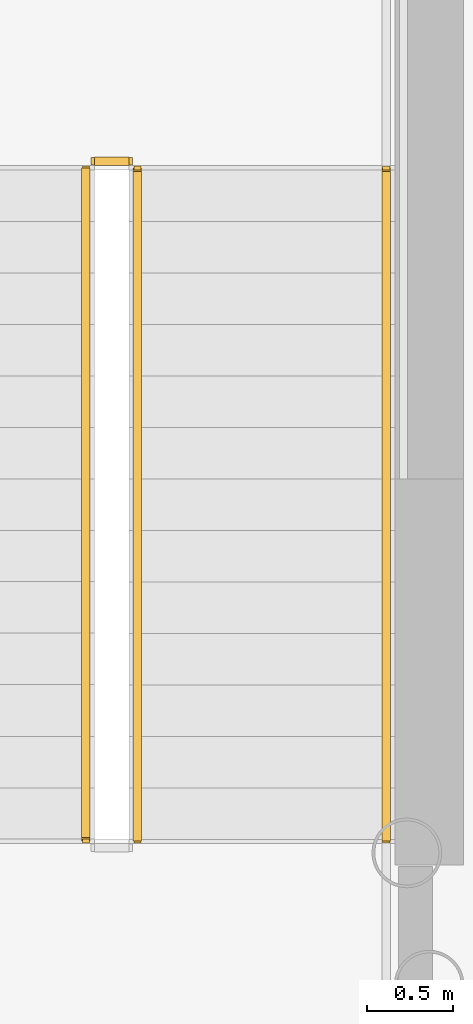
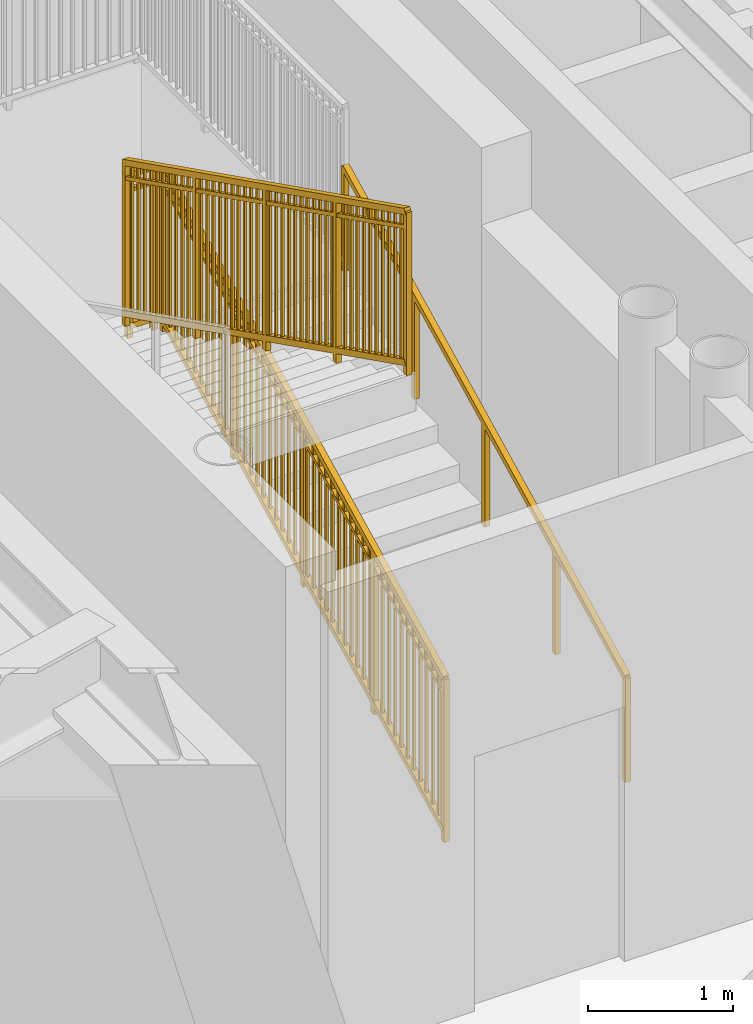
# One storey, part 23 of 28: 4 railings.
"""IFC4 building model written with IfcOpenShell, lengths in metres."""

import ifcopenshell
import ifcopenshell.guid

model = None  # the IFC model being written
_history = None  # IfcOwnerHistory: only IFC2X3 demands one
_inside = {}  # id of a spatial element -> (the spatial element, [elements in it])
_under = {}  # id of a project, library or spatial element -> (it, [spatial elements below it])
_declared = {}  # id of a project -> (the project, [libraries it declares])
_typed = {}  # id of a type object -> (the type object, [elements of that type])
_made_of = {}  # id of a material, layer set ... -> (it, [elements and type objects made of it])


def new_model(schema):
    """Start an empty IFC model of exactly this schema.

    Asked for "IFC4X3", IfcOpenShell would pick the latest addendum, in which some entities
    have other attributes; the version numbers below select the first issue.
    IFC2X3 requires an IfcOwnerHistory on every rooted entity: one is made here for all.
    """
    global model, _history
    if schema == "IFC4X3":
        model = ifcopenshell.file(schema_version=(4, 3, 0, 0))
    else:
        model = ifcopenshell.file(schema=schema)
    _inside.clear()
    _under.clear()
    _declared.clear()
    _typed.clear()
    _made_of.clear()
    _history = None
    if model.schema == "IFC2X3":
        org = make("IfcOrganization", Name="unknown")
        user = make(
            "IfcPersonAndOrganization",
            ThePerson=make("IfcPerson", FamilyName="unknown"),
            TheOrganization=org,
        )
        app = make(
            "IfcApplication",
            ApplicationDeveloper=org,
            Version="unknown",
            ApplicationFullName="unknown",
            ApplicationIdentifier="unknown",
        )
        _history = make(
            "IfcOwnerHistory",
            OwningUser=user,
            OwningApplication=app,
            ChangeAction="ADDED",
            CreationDate=0,
        )
    return model


def make(cls, **values):
    """One entity of the class cls with the attributes given. An attribute that is None is left unset."""
    return model.create_entity(
        cls, **{name: value for name, value in values.items() if value is not None}
    )


def rooted(cls, **values):
    """An entity with a GlobalId (a new one), such as an element, a storey or a relation."""
    return make(cls, GlobalId=ifcopenshell.guid.new(), OwnerHistory=_history, **values)


def si_unit(unit_type, name, prefix=None):
    """IfcSIUnit, for example si_unit("LENGTHUNIT", "METRE", prefix="MILLI")."""
    return make("IfcSIUnit", UnitType=unit_type, Prefix=prefix, Name=name)


def assignment(units):
    """IfcUnitAssignment: the units of a project."""
    return None if units is None else make("IfcUnitAssignment", Units=units)


def point(xyz):
    """IfcCartesianPoint."""
    return None if xyz is None else make("IfcCartesianPoint", Coordinates=xyz)


def direction(xyz):
    """IfcDirection."""
    return None if xyz is None else make("IfcDirection", DirectionRatios=xyz)


def frame(location, z_axis=None, x_axis=None):
    """IfcAxis2Placement3D, a coordinate frame: its origin and axes. An axis left out is left unset."""
    return make(
        "IfcAxis2Placement3D",
        Location=point(location),
        Axis=direction(z_axis),
        RefDirection=direction(x_axis),
    )


def frame_2d(location, x_axis=None):
    """IfcAxis2Placement2D, a coordinate frame in the plane: its origin and x axis."""
    return make(
        "IfcAxis2Placement2D", Location=point(location), RefDirection=direction(x_axis)
    )


def origin():
    """The frame at (0, 0, 0) with its axes left unset."""
    return frame((0.0, 0.0, 0.0))


def origin_2d():
    """The frame at (0, 0) in the plane with its x axis left unset."""
    return frame_2d((0.0, 0.0))


def place(relative_to, where):
    """IfcLocalPlacement: puts the frame where relative to a parent placement (None: the world)."""
    return make(
        "IfcLocalPlacement", PlacementRelTo=relative_to, RelativePlacement=where
    )


def context(
    kind, dimensions, precision=None, world=None, true_north=None, identifier=None
):
    """IfcGeometricRepresentationContext, for example the 3D "Model" context."""
    return make(
        "IfcGeometricRepresentationContext",
        ContextIdentifier=identifier,
        ContextType=kind,
        CoordinateSpaceDimension=dimensions,
        Precision=precision,
        WorldCoordinateSystem=world,
        TrueNorth=true_north,
    )


def subcontext(parent, identifier, kind, view, scale=None):
    """IfcGeometricRepresentationSubContext, for example "Body" below "Model"."""
    return make(
        "IfcGeometricRepresentationSubContext",
        ContextIdentifier=identifier,
        ContextType=kind,
        ParentContext=parent,
        TargetScale=scale,
        TargetView=view,
    )


def project(units=None, contexts=None):
    """IfcProject with its units and contexts."""
    return rooted(
        "IfcProject",
        Name="project",
        RepresentationContexts=contexts,
        UnitsInContext=assignment(units),
    )


def spatial(cls, under=None, at=None, **own):
    """A site, building, storey or space (cls), placed at a placement, below another one or the project."""
    s = rooted(cls, ObjectPlacement=at, **own)
    if under is not None:
        _under.setdefault(under.id(), (under, []))[1].append(s)
    return s


def profile(cls, at=None, kind="AREA", **sizes):
    """A parametric profile (cls). Its sizes go by their IFC names, for example OverallWidth=200.0."""
    return make(cls, ProfileType=kind, Position=at, **sizes)


def rectangle(**sizes):
    """IfcRectangleProfileDef."""
    return profile("IfcRectangleProfileDef", **sizes)


def extrude(swept, where, along, depth):
    """IfcExtrudedAreaSolid: the profile swept, set in the frame where, extruded along a direction by depth."""
    return make(
        "IfcExtrudedAreaSolid",
        SweptArea=swept,
        Position=where,
        ExtrudedDirection=direction(along),
        Depth=depth,
    )


def shape(context_of_items, identifier, shape_type, items):
    """IfcShapeRepresentation: the items that make up one representation, for example the "Body"."""
    return make(
        "IfcShapeRepresentation",
        ContextOfItems=context_of_items,
        RepresentationIdentifier=identifier,
        RepresentationType=shape_type,
        Items=items,
    )


def source(mapping_origin, context_of_items, identifier, shape_type, items):
    """IfcRepresentationMap: a shape defined once, which mapped items show again and again."""
    return make(
        "IfcRepresentationMap",
        MappingOrigin=mapping_origin,
        MappedRepresentation=shape(context_of_items, identifier, shape_type, items),
    )


def transform(
    local_origin,
    x_axis=None,
    y_axis=None,
    z_axis=None,
    scale=None,
    scale2=None,
    scale3=None,
    uniform=True,
):
    """IfcCartesianTransformationOperator3D, or its non-uniform kind. x_axis, y_axis, z_axis: its Axis1, 2, 3."""
    if uniform:
        return make(
            "IfcCartesianTransformationOperator3D",
            Axis1=direction(x_axis),
            Axis2=direction(y_axis),
            LocalOrigin=point(local_origin),
            Scale=scale,
            Axis3=direction(z_axis),
        )
    return make(
        "IfcCartesianTransformationOperator3DnonUniform",
        Axis1=direction(x_axis),
        Axis2=direction(y_axis),
        LocalOrigin=point(local_origin),
        Scale=scale,
        Axis3=direction(z_axis),
        Scale2=scale2,
        Scale3=scale3,
    )


def mapped(mapping_source, mapping_target):
    """IfcMappedItem: shows the shape of a source again, moved by a transform."""
    return make(
        "IfcMappedItem", MappingSource=mapping_source, MappingTarget=mapping_target
    )


def material(Name=None, Category=None):
    """IfcMaterial."""
    return make("IfcMaterial", Name=Name, Category=Category)


def made_of(thing, what):
    """Note that an element or type object is made of a material, layer set ...; save() writes the relation."""
    if what is not None:
        _made_of.setdefault(what.id(), (what, []))[1].append(thing)
    return thing


def type_object(cls, material=None, **own):
    """A type object (cls), such as IfcWallType, which elements share."""
    return made_of(rooted(cls, **own), material)


def element(
    cls,
    number,
    at=None,
    inside=None,
    cuts=None,
    type_object=None,
    material=None,
    context=None,
    identifier="Body",
    shape_type=None,
    held_by="IfcProductDefinitionShape",
    body=None,
    shapes=None,
    **own,
):
    """One element of the class cls, such as IfcWall. Its Tag is "e" and its number.

    at: its placement. inside: the storey or other place that contains it. cuts: it is an
    opening in that element (IfcRelVoidsElement). A single representation is given by context,
    identifier, shape_type and body (its items); several are given by shapes. held_by: the class
    of the entity that holds the representations. save() writes the other relations.
    """
    e = rooted(cls, Tag="e%d" % number, ObjectPlacement=at, **own)
    if body is not None:
        shapes = [shape(context, identifier, shape_type, body)]
    if shapes is not None:
        e.Representation = make(held_by, Representations=shapes)
    if inside is not None:
        _inside.setdefault(inside.id(), (inside, []))[1].append(e)
    if cuts is not None:
        rooted(
            "IfcRelVoidsElement", RelatingBuildingElement=cuts, RelatedOpeningElement=e
        )
    if type_object is not None:
        _typed.setdefault(type_object.id(), (type_object, []))[1].append(e)
    return made_of(e, material)


def aggregate(whole, parts):
    """IfcRelAggregates: a whole, such as a stair, and the parts it consists of."""
    return rooted("IfcRelAggregates", RelatingObject=whole, RelatedObjects=parts)


def save(model, path):
    """Write the relations noted so far, then the file.

    IfcRelAggregates (storeys below a building ...), IfcRelContainedInSpatialStructure (elements
    in a storey), IfcRelDefinesByType, IfcRelAssociatesMaterial and IfcRelDeclares: one each for
    every whole, place, type object, material and project.
    """
    for whole, parts in _under.values():
        aggregate(whole, parts)
    for where, things in _inside.values():
        rooted(
            "IfcRelContainedInSpatialStructure",
            RelatedElements=things,
            RelatingStructure=where,
        )
    for kind, things in _typed.values():
        rooted("IfcRelDefinesByType", RelatedObjects=things, RelatingType=kind)
    for what, things in _made_of.values():
        rooted("IfcRelAssociatesMaterial", RelatedObjects=things, RelatingMaterial=what)
    for by, libraries in _declared.values():
        rooted("IfcRelDeclares", RelatingContext=by, RelatedDefinitions=libraries)
    model.write(path)


model = new_model("IFC4")

# Units and contexts
model_context = context("Model", 3, precision=1e-05, world=origin(), true_north=direction((0.0, 1.0)))
body_context = subcontext(model_context, "Body", "Model", "MODEL_VIEW")
ifc_project = project(units=[si_unit("LENGTHUNIT", "METRE"), si_unit("AREAUNIT", "SQUARE_METRE"), si_unit("VOLUMEUNIT", "CUBIC_METRE"), si_unit("PLANEANGLEUNIT", "RADIAN"), si_unit("MASSUNIT", "GRAM", prefix="KILO")], contexts=[model_context])

# Site, building, storey
site_placement = place(None, origin())
site = spatial("IfcSite", under=ifc_project, at=site_placement, CompositionType="ELEMENT")
building_placement = place(site_placement, origin())
building = spatial("IfcBuilding", under=site, at=building_placement, Name="Linh Dai School and Residence Tower", CompositionType="ELEMENT")
storey_placement = place(building_placement, frame((0.0, 0.0, 57.60009765625)))
storey = spatial("IfcBuildingStorey", under=building, at=storey_placement, Name="L13", CompositionType="ELEMENT", Elevation=57.60009765625)

# Railings
ifc_material_1 = material(Name="Structural Steel S355JR", Category="steel")
railing_type_1 = type_object("IfcRailingType", Name="RL-ST-GUARD-1400", PredefinedType="GUARDRAIL", material=ifc_material_1)
shared_shape_1 = source(origin(), body_context, "Body", "SweptSolid", [
    extrude(rectangle(XDim=0.048095703125, YDim=0.048095703125, at=origin_2d()), frame((0.0, 0.0, 1.3759765625), z_axis=(-1.0, 0.0, 0.0), x_axis=(0.0, -1.0, 0.0)), (0.0, 0.0, 1.0), 0.199951171875),
    extrude(rectangle(XDim=0.048095703125, YDim=0.048095703125, at=origin_2d()), frame((0.0, 0.0, 0.10009765625), z_axis=(-1.0, 0.0, 0.0), x_axis=(0.0, -1.0, 0.0)), (0.0, 0.0, 1.0), 0.199951171875),
    extrude(rectangle(XDim=0.030029296875, YDim=0.030029296875, at=origin_2d()), frame((0.0, 0.0, 1.239990234375), z_axis=(-1.0, 0.0, 0.0), x_axis=(0.0, -1.0, 0.0)), (0.0, 0.0, 1.0), 0.199951171875),
    extrude(rectangle(XDim=0.0419921875, YDim=0.0419921875, at=origin_2d()), origin(), (0.0, 0.0, 1.0), 1.3759765625),
    extrude(rectangle(XDim=0.0419921875, YDim=0.0419921875, at=origin_2d()), frame((-0.199951171875, 0.0, 0.0)), (0.0, 0.0, 1.0), 1.3759765625),
])
railing_1_placement = place(storey_placement, frame((29.429931640625, 29.64990234375, 2.099853515625)))
element("IfcRailing", 1, at=railing_1_placement, inside=storey, type_object=railing_type_1, Name="L13 ST1 stair guard 2", PredefinedType="GUARDRAIL", context=body_context, shape_type="MappedRepresentation", body=[
    mapped(shared_shape_1, transform((0.0, 0.0, 0.0), x_axis=(1.0, 0.0, 0.0), y_axis=(0.0, 1.0, 0.0), z_axis=(0.0, 0.0, 1.0), scale=1.0)),
])
shared_shape_2 = source(origin(), body_context, "Body", "SweptSolid", [
    extrude(rectangle(XDim=0.048095703125, YDim=0.048095703125, at=origin_2d()), frame((0.0, 0.0, 1.3759765625), z_axis=(0.0, -0.894438388696, 0.447191199406), x_axis=(1.0, 0.0, 0.0)), (0.0, 0.0, 1.0), 4.3603515625),
    extrude(rectangle(XDim=0.048095703125, YDim=0.048095703125, at=origin_2d()), frame((0.0, 0.0, 0.10009765625), z_axis=(0.0, -0.894438388696, 0.447191199406), x_axis=(1.0, 0.0, 0.0)), (0.0, 0.0, 1.0), 4.3603515625),
    extrude(rectangle(XDim=0.030029296875, YDim=0.030029296875, at=origin_2d()), frame((0.0, 0.0, 1.239990234375), z_axis=(0.0, -0.894438388696, 0.447191199406), x_axis=(1.0, 0.0, 0.0)), (0.0, 0.0, 1.0), 4.3603515625),
    extrude(rectangle(XDim=0.02001953125, YDim=0.02001953125, at=origin_2d()), frame((0.0, -0.086669921875, 0.143310546875)), (0.0, 0.0, 1.0), 1.251708984375),
    extrude(rectangle(XDim=0.02001953125, YDim=0.02001953125, at=origin_2d()), frame((0.0, -0.17333984375, 0.186767578125)), (0.0, 0.0, 1.0), 1.251708984375),
    extrude(rectangle(XDim=0.02001953125, YDim=0.02001953125, at=origin_2d()), frame((0.0, -0.260009765625, 0.22998046875)), (0.0, 0.0, 1.0), 1.251708984375),
    extrude(rectangle(XDim=0.02001953125, YDim=0.02001953125, at=origin_2d()), frame((0.0, -0.3466796875, 0.2734375)), (0.0, 0.0, 1.0), 1.251708984375),
    extrude(rectangle(XDim=0.02001953125, YDim=0.02001953125, at=origin_2d()), frame((0.0, -0.433349609375, 0.316650390625)), (0.0, 0.0, 1.0), 1.251708984375),
    extrude(rectangle(XDim=0.02001953125, YDim=0.02001953125, at=origin_2d()), frame((0.0, -0.52001953125, 0.360107421875)), (0.0, 0.0, 1.0), 1.251708984375),
    extrude(rectangle(XDim=0.02001953125, YDim=0.02001953125, at=origin_2d()), frame((0.0, -0.606689453125, 0.4033203125)), (0.0, 0.0, 1.0), 1.251708984375),
    extrude(rectangle(XDim=0.02001953125, YDim=0.02001953125, at=origin_2d()), frame((0.0, -0.693359375, 0.44677734375)), (0.0, 0.0, 1.0), 1.251708984375),
    extrude(rectangle(XDim=0.02001953125, YDim=0.02001953125, at=origin_2d()), frame((0.0, -0.780029296875, 0.489990234375)), (0.0, 0.0, 1.0), 1.251708984375),
    extrude(rectangle(XDim=0.02001953125, YDim=0.02001953125, at=origin_2d()), frame((0.0, -0.86669921875, 0.533447265625)), (0.0, 0.0, 1.0), 1.251708984375),
    extrude(rectangle(XDim=0.02001953125, YDim=0.02001953125, at=origin_2d()), frame((0.0, -1.0400390625, 0.6201171875)), (0.0, 0.0, 1.0), 1.251708984375),
    extrude(rectangle(XDim=0.02001953125, YDim=0.02001953125, at=origin_2d()), frame((0.0, -1.126708984375, 0.663330078125)), (0.0, 0.0, 1.0), 1.251708984375),
    extrude(rectangle(XDim=0.02001953125, YDim=0.02001953125, at=origin_2d()), frame((0.0, -1.21337890625, 0.706787109375)), (0.0, 0.0, 1.0), 1.251708984375),
    extrude(rectangle(XDim=0.02001953125, YDim=0.02001953125, at=origin_2d()), frame((0.0, -1.300048828125, 0.75)), (0.0, 0.0, 1.0), 1.251708984375),
    extrude(rectangle(XDim=0.02001953125, YDim=0.02001953125, at=origin_2d()), frame((0.0, -1.38671875, 0.79345703125)), (0.0, 0.0, 1.0), 1.251708984375),
    extrude(rectangle(XDim=0.02001953125, YDim=0.02001953125, at=origin_2d()), frame((0.0, -1.473388671875, 0.836669921875)), (0.0, 0.0, 1.0), 1.251708984375),
    extrude(rectangle(XDim=0.02001953125, YDim=0.02001953125, at=origin_2d()), frame((0.0, -1.56005859375, 0.880126953125)), (0.0, 0.0, 1.0), 1.251708984375),
    extrude(rectangle(XDim=0.02001953125, YDim=0.02001953125, at=origin_2d()), frame((0.0, -1.646728515625, 0.92333984375)), (0.0, 0.0, 1.0), 1.251708984375),
    extrude(rectangle(XDim=0.02001953125, YDim=0.02001953125, at=origin_2d()), frame((0.0, -1.7333984375, 0.966796875)), (0.0, 0.0, 1.0), 1.251708984375),
    extrude(rectangle(XDim=0.02001953125, YDim=0.02001953125, at=origin_2d()), frame((0.0, -1.820068359375, 1.010009765625)), (0.0, 0.0, 1.0), 1.251708984375),
    extrude(rectangle(XDim=0.02001953125, YDim=0.02001953125, at=origin_2d()), frame((0.0, -1.90673828125, 1.053466796875)), (0.0, 0.0, 1.0), 1.251708984375),
    extrude(rectangle(XDim=0.02001953125, YDim=0.02001953125, at=origin_2d()), frame((0.0, -1.993408203125, 1.0966796875)), (0.0, 0.0, 1.0), 1.251708984375),
    extrude(rectangle(XDim=0.02001953125, YDim=0.02001953125, at=origin_2d()), frame((0.0, -2.080078125, 1.14013671875)), (0.0, 0.0, 1.0), 1.251708984375),
    extrude(rectangle(XDim=0.02001953125, YDim=0.02001953125, at=origin_2d()), frame((0.0, -2.166748046875, 1.183349609375)), (0.0, 0.0, 1.0), 1.251708984375),
    extrude(rectangle(XDim=0.02001953125, YDim=0.02001953125, at=origin_2d()), frame((0.0, -2.25341796875, 1.226806640625)), (0.0, 0.0, 1.0), 1.251708984375),
    extrude(rectangle(XDim=0.02001953125, YDim=0.02001953125, at=origin_2d()), frame((0.0, -2.340087890625, 1.27001953125)), (0.0, 0.0, 1.0), 1.251708984375),
    extrude(rectangle(XDim=0.02001953125, YDim=0.02001953125, at=origin_2d()), frame((0.0, -2.4267578125, 1.3134765625)), (0.0, 0.0, 1.0), 1.251708984375),
    extrude(rectangle(XDim=0.02001953125, YDim=0.02001953125, at=origin_2d()), frame((0.0, -2.513427734375, 1.356689453125)), (0.0, 0.0, 1.0), 1.251708984375),
    extrude(rectangle(XDim=0.02001953125, YDim=0.02001953125, at=origin_2d()), frame((0.0, -2.60009765625, 1.400146484375)), (0.0, 0.0, 1.0), 1.251708984375),
    extrude(rectangle(XDim=0.02001953125, YDim=0.02001953125, at=origin_2d()), frame((0.0, -2.686767578125, 1.443359375)), (0.0, 0.0, 1.0), 1.251708984375),
    extrude(rectangle(XDim=0.02001953125, YDim=0.02001953125, at=origin_2d()), frame((0.0, -2.7734375, 1.48681640625)), (0.0, 0.0, 1.0), 1.251708984375),
    extrude(rectangle(XDim=0.02001953125, YDim=0.02001953125, at=origin_2d()), frame((0.0, -2.860107421875, 1.530029296875)), (0.0, 0.0, 1.0), 1.251708984375),
    extrude(rectangle(XDim=0.02001953125, YDim=0.02001953125, at=origin_2d()), frame((0.0, -3.033447265625, 1.61669921875)), (0.0, 0.0, 1.0), 1.251708984375),
    extrude(rectangle(XDim=0.02001953125, YDim=0.02001953125, at=origin_2d()), frame((0.0, -3.1201171875, 1.66015625)), (0.0, 0.0, 1.0), 1.251708984375),
    extrude(rectangle(XDim=0.02001953125, YDim=0.02001953125, at=origin_2d()), frame((0.0, -3.206787109375, 1.703369140625)), (0.0, 0.0, 1.0), 1.251708984375),
    extrude(rectangle(XDim=0.02001953125, YDim=0.02001953125, at=origin_2d()), frame((0.0, -3.29345703125, 1.746826171875)), (0.0, 0.0, 1.0), 1.251708984375),
    extrude(rectangle(XDim=0.02001953125, YDim=0.02001953125, at=origin_2d()), frame((0.0, -3.380126953125, 1.7900390625)), (0.0, 0.0, 1.0), 1.251708984375),
    extrude(rectangle(XDim=0.02001953125, YDim=0.02001953125, at=origin_2d()), frame((0.0, -3.466796875, 1.83349609375)), (0.0, 0.0, 1.0), 1.251708984375),
    extrude(rectangle(XDim=0.02001953125, YDim=0.02001953125, at=origin_2d()), frame((0.0, -3.553466796875, 1.876708984375)), (0.0, 0.0, 1.0), 1.251708984375),
    extrude(rectangle(XDim=0.02001953125, YDim=0.02001953125, at=origin_2d()), frame((0.0, -3.64013671875, 1.920166015625)), (0.0, 0.0, 1.0), 1.251708984375),
    extrude(rectangle(XDim=0.02001953125, YDim=0.02001953125, at=origin_2d()), frame((0.0, -3.726806640625, 1.96337890625)), (0.0, 0.0, 1.0), 1.251708984375),
    extrude(rectangle(XDim=0.02001953125, YDim=0.02001953125, at=origin_2d()), frame((0.0, -3.8134765625, 2.0068359375)), (0.0, 0.0, 1.0), 1.251708984375),
    extrude(rectangle(XDim=0.0419921875, YDim=0.0419921875, at=origin_2d()), origin(), (0.0, 0.0, 1.0), 1.3759765625),
    extrude(rectangle(XDim=0.0419921875, YDim=0.0419921875, at=origin_2d()), frame((0.0, -0.97509765625, 0.487548828125)), (0.0, 0.0, 1.0), 1.3759765625),
    extrude(rectangle(XDim=0.0419921875, YDim=0.0419921875, at=origin_2d()), frame((0.0, -1.9501953125, 0.97509765625)), (0.0, 0.0, 1.0), 1.3759765625),
    extrude(rectangle(XDim=0.0419921875, YDim=0.0419921875, at=origin_2d()), frame((0.0, -2.925048828125, 1.46240234375)), (0.0, 0.0, 1.0), 1.3759765625),
    extrude(rectangle(XDim=0.0419921875, YDim=0.0419921875, at=origin_2d()), frame((0.0, -3.900146484375, 1.949951171875)), (0.0, 0.0, 1.0), 1.3759765625),
])
railing_2_placement = place(storey_placement, frame((29.179931640625, 29.60009765625, 2.25)))
element("IfcRailing", 2, at=railing_2_placement, inside=storey, type_object=railing_type_1, Name="L13 ST1 stair guard 6", PredefinedType="GUARDRAIL", context=body_context, shape_type="MappedRepresentation", body=[
    mapped(shared_shape_2, transform((0.0, 0.0, 0.0), x_axis=(1.0, 0.0, 0.0), y_axis=(0.0, 1.0, 0.0), z_axis=(0.0, 0.0, 1.0), scale=1.0)),
])
shared_shape_3 = source(origin(), body_context, "Body", "SweptSolid", [
    extrude(rectangle(XDim=0.048095703125, YDim=0.048095703125, at=origin_2d()), frame((0.0, 0.0, 1.3759765625), z_axis=(0.0, 0.894438388696, 0.447191199406), x_axis=(-1.0, 0.0, 0.0)), (0.0, 0.0, 1.0), 4.3603515625),
    extrude(rectangle(XDim=0.048095703125, YDim=0.048095703125, at=origin_2d()), frame((0.0, 0.0, 0.10009765625), z_axis=(0.0, 0.894438388696, 0.447191199406), x_axis=(-1.0, 0.0, 0.0)), (0.0, 0.0, 1.0), 4.3603515625),
    extrude(rectangle(XDim=0.030029296875, YDim=0.030029296875, at=origin_2d()), frame((0.0, 0.0, 1.239990234375), z_axis=(0.0, 0.894438388696, 0.447191199406), x_axis=(-1.0, 0.0, 0.0)), (0.0, 0.0, 1.0), 4.3603515625),
    extrude(rectangle(XDim=0.02001953125, YDim=0.02001953125, at=origin_2d()), frame((0.0, 0.086669921875, 0.143310546875)), (0.0, 0.0, 1.0), 1.251708984375),
    extrude(rectangle(XDim=0.02001953125, YDim=0.02001953125, at=origin_2d()), frame((0.0, 0.17333984375, 0.186767578125)), (0.0, 0.0, 1.0), 1.251708984375),
    extrude(rectangle(XDim=0.02001953125, YDim=0.02001953125, at=origin_2d()), frame((0.0, 0.260009765625, 0.22998046875)), (0.0, 0.0, 1.0), 1.251708984375),
    extrude(rectangle(XDim=0.02001953125, YDim=0.02001953125, at=origin_2d()), frame((0.0, 0.3466796875, 0.2734375)), (0.0, 0.0, 1.0), 1.251708984375),
    extrude(rectangle(XDim=0.02001953125, YDim=0.02001953125, at=origin_2d()), frame((0.0, 0.433349609375, 0.316650390625)), (0.0, 0.0, 1.0), 1.251708984375),
    extrude(rectangle(XDim=0.02001953125, YDim=0.02001953125, at=origin_2d()), frame((0.0, 0.52001953125, 0.360107421875)), (0.0, 0.0, 1.0), 1.251708984375),
    extrude(rectangle(XDim=0.02001953125, YDim=0.02001953125, at=origin_2d()), frame((0.0, 0.606689453125, 0.4033203125)), (0.0, 0.0, 1.0), 1.251708984375),
    extrude(rectangle(XDim=0.02001953125, YDim=0.02001953125, at=origin_2d()), frame((0.0, 0.693359375, 0.44677734375)), (0.0, 0.0, 1.0), 1.251708984375),
    extrude(rectangle(XDim=0.02001953125, YDim=0.02001953125, at=origin_2d()), frame((0.0, 0.780029296875, 0.489990234375)), (0.0, 0.0, 1.0), 1.251708984375),
    extrude(rectangle(XDim=0.02001953125, YDim=0.02001953125, at=origin_2d()), frame((0.0, 0.86669921875, 0.533447265625)), (0.0, 0.0, 1.0), 1.251708984375),
    extrude(rectangle(XDim=0.02001953125, YDim=0.02001953125, at=origin_2d()), frame((0.0, 1.0400390625, 0.6201171875)), (0.0, 0.0, 1.0), 1.251708984375),
    extrude(rectangle(XDim=0.02001953125, YDim=0.02001953125, at=origin_2d()), frame((0.0, 1.126708984375, 0.663330078125)), (0.0, 0.0, 1.0), 1.251708984375),
    extrude(rectangle(XDim=0.02001953125, YDim=0.02001953125, at=origin_2d()), frame((0.0, 1.21337890625, 0.706787109375)), (0.0, 0.0, 1.0), 1.251708984375),
    extrude(rectangle(XDim=0.02001953125, YDim=0.02001953125, at=origin_2d()), frame((0.0, 1.300048828125, 0.75)), (0.0, 0.0, 1.0), 1.251708984375),
    extrude(rectangle(XDim=0.02001953125, YDim=0.02001953125, at=origin_2d()), frame((0.0, 1.38671875, 0.79345703125)), (0.0, 0.0, 1.0), 1.251708984375),
    extrude(rectangle(XDim=0.02001953125, YDim=0.02001953125, at=origin_2d()), frame((0.0, 1.473388671875, 0.836669921875)), (0.0, 0.0, 1.0), 1.251708984375),
    extrude(rectangle(XDim=0.02001953125, YDim=0.02001953125, at=origin_2d()), frame((0.0, 1.56005859375, 0.880126953125)), (0.0, 0.0, 1.0), 1.251708984375),
    extrude(rectangle(XDim=0.02001953125, YDim=0.02001953125, at=origin_2d()), frame((0.0, 1.646728515625, 0.92333984375)), (0.0, 0.0, 1.0), 1.251708984375),
    extrude(rectangle(XDim=0.02001953125, YDim=0.02001953125, at=origin_2d()), frame((0.0, 1.7333984375, 0.966796875)), (0.0, 0.0, 1.0), 1.251708984375),
    extrude(rectangle(XDim=0.02001953125, YDim=0.02001953125, at=origin_2d()), frame((0.0, 1.820068359375, 1.010009765625)), (0.0, 0.0, 1.0), 1.251708984375),
    extrude(rectangle(XDim=0.02001953125, YDim=0.02001953125, at=origin_2d()), frame((0.0, 1.90673828125, 1.053466796875)), (0.0, 0.0, 1.0), 1.251708984375),
    extrude(rectangle(XDim=0.02001953125, YDim=0.02001953125, at=origin_2d()), frame((0.0, 1.993408203125, 1.0966796875)), (0.0, 0.0, 1.0), 1.251708984375),
    extrude(rectangle(XDim=0.02001953125, YDim=0.02001953125, at=origin_2d()), frame((0.0, 2.080078125, 1.14013671875)), (0.0, 0.0, 1.0), 1.251708984375),
    extrude(rectangle(XDim=0.02001953125, YDim=0.02001953125, at=origin_2d()), frame((0.0, 2.166748046875, 1.183349609375)), (0.0, 0.0, 1.0), 1.251708984375),
    extrude(rectangle(XDim=0.02001953125, YDim=0.02001953125, at=origin_2d()), frame((0.0, 2.25341796875, 1.226806640625)), (0.0, 0.0, 1.0), 1.251708984375),
    extrude(rectangle(XDim=0.02001953125, YDim=0.02001953125, at=origin_2d()), frame((0.0, 2.340087890625, 1.27001953125)), (0.0, 0.0, 1.0), 1.251708984375),
    extrude(rectangle(XDim=0.02001953125, YDim=0.02001953125, at=origin_2d()), frame((0.0, 2.4267578125, 1.3134765625)), (0.0, 0.0, 1.0), 1.251708984375),
    extrude(rectangle(XDim=0.02001953125, YDim=0.02001953125, at=origin_2d()), frame((0.0, 2.513427734375, 1.356689453125)), (0.0, 0.0, 1.0), 1.251708984375),
    extrude(rectangle(XDim=0.02001953125, YDim=0.02001953125, at=origin_2d()), frame((0.0, 2.60009765625, 1.400146484375)), (0.0, 0.0, 1.0), 1.251708984375),
    extrude(rectangle(XDim=0.02001953125, YDim=0.02001953125, at=origin_2d()), frame((0.0, 2.686767578125, 1.443359375)), (0.0, 0.0, 1.0), 1.251708984375),
    extrude(rectangle(XDim=0.02001953125, YDim=0.02001953125, at=origin_2d()), frame((0.0, 2.7734375, 1.48681640625)), (0.0, 0.0, 1.0), 1.251708984375),
    extrude(rectangle(XDim=0.02001953125, YDim=0.02001953125, at=origin_2d()), frame((0.0, 2.860107421875, 1.530029296875)), (0.0, 0.0, 1.0), 1.251708984375),
    extrude(rectangle(XDim=0.02001953125, YDim=0.02001953125, at=origin_2d()), frame((0.0, 3.033447265625, 1.61669921875)), (0.0, 0.0, 1.0), 1.251708984375),
    extrude(rectangle(XDim=0.02001953125, YDim=0.02001953125, at=origin_2d()), frame((0.0, 3.1201171875, 1.66015625)), (0.0, 0.0, 1.0), 1.251708984375),
    extrude(rectangle(XDim=0.02001953125, YDim=0.02001953125, at=origin_2d()), frame((0.0, 3.206787109375, 1.703369140625)), (0.0, 0.0, 1.0), 1.251708984375),
    extrude(rectangle(XDim=0.02001953125, YDim=0.02001953125, at=origin_2d()), frame((0.0, 3.29345703125, 1.746826171875)), (0.0, 0.0, 1.0), 1.251708984375),
    extrude(rectangle(XDim=0.02001953125, YDim=0.02001953125, at=origin_2d()), frame((0.0, 3.380126953125, 1.7900390625)), (0.0, 0.0, 1.0), 1.251708984375),
    extrude(rectangle(XDim=0.02001953125, YDim=0.02001953125, at=origin_2d()), frame((0.0, 3.466796875, 1.83349609375)), (0.0, 0.0, 1.0), 1.251708984375),
    extrude(rectangle(XDim=0.02001953125, YDim=0.02001953125, at=origin_2d()), frame((0.0, 3.553466796875, 1.876708984375)), (0.0, 0.0, 1.0), 1.251708984375),
    extrude(rectangle(XDim=0.02001953125, YDim=0.02001953125, at=origin_2d()), frame((0.0, 3.64013671875, 1.920166015625)), (0.0, 0.0, 1.0), 1.251708984375),
    extrude(rectangle(XDim=0.02001953125, YDim=0.02001953125, at=origin_2d()), frame((0.0, 3.726806640625, 1.96337890625)), (0.0, 0.0, 1.0), 1.251708984375),
    extrude(rectangle(XDim=0.02001953125, YDim=0.02001953125, at=origin_2d()), frame((0.0, 3.8134765625, 2.0068359375)), (0.0, 0.0, 1.0), 1.251708984375),
    extrude(rectangle(XDim=0.0419921875, YDim=0.0419921875, at=origin_2d()), origin(), (0.0, 0.0, 1.0), 1.3759765625),
    extrude(rectangle(XDim=0.0419921875, YDim=0.0419921875, at=origin_2d()), frame((0.0, 0.97509765625, 0.487548828125)), (0.0, 0.0, 1.0), 1.3759765625),
    extrude(rectangle(XDim=0.0419921875, YDim=0.0419921875, at=origin_2d()), frame((0.0, 1.9501953125, 0.97509765625)), (0.0, 0.0, 1.0), 1.3759765625),
    extrude(rectangle(XDim=0.0419921875, YDim=0.0419921875, at=origin_2d()), frame((0.0, 2.925048828125, 1.46240234375)), (0.0, 0.0, 1.0), 1.3759765625),
    extrude(rectangle(XDim=0.0419921875, YDim=0.0419921875, at=origin_2d()), frame((0.0, 3.900146484375, 1.949951171875)), (0.0, 0.0, 1.0), 1.3759765625),
])
railing_3_placement = place(storey_placement, frame((29.47998046875, 25.699951171875, 0.14990234375)))
element("IfcRailing", 3, at=railing_3_placement, inside=storey, type_object=railing_type_1, Name="L13 ST1 stair guard 1", PredefinedType="GUARDRAIL", context=body_context, shape_type="MappedRepresentation", body=[
    mapped(shared_shape_3, transform((0.0, 0.0, 0.0), x_axis=(1.0, 0.0, 0.0), y_axis=(0.0, 1.0, 0.0), z_axis=(0.0, 0.0, 1.0), scale=1.0)),
])
ifc_material_2 = material(Name="Brushed Stainless Steel Handrail", Category="steel")
railing_type_2 = type_object("IfcRailingType", Name="RL-ST-HANDRAIL-900", PredefinedType="HANDRAIL", material=ifc_material_2)
shared_shape_4 = source(origin(), body_context, "Body", "SweptSolid", [
    extrude(rectangle(XDim=0.048095703125, YDim=0.048095703125, at=origin_2d()), frame((0.0, 0.0, 0.8759765625), z_axis=(0.0, 0.894438388696, 0.447191199406), x_axis=(-1.0, 0.0, 0.0)), (0.0, 0.0, 1.0), 4.3603515625),
    extrude(rectangle(XDim=0.0419921875, YDim=0.0419921875, at=origin_2d()), origin(), (0.0, 0.0, 1.0), 0.8759765625),
    extrude(rectangle(XDim=0.0419921875, YDim=0.0419921875, at=origin_2d()), frame((0.0, 0.97509765625, 0.487548828125)), (0.0, 0.0, 1.0), 0.8759765625),
    extrude(rectangle(XDim=0.0419921875, YDim=0.0419921875, at=origin_2d()), frame((0.0, 1.9501953125, 0.97509765625)), (0.0, 0.0, 1.0), 0.8759765625),
    extrude(rectangle(XDim=0.0419921875, YDim=0.0419921875, at=origin_2d()), frame((0.0, 2.925048828125, 1.46240234375)), (0.0, 0.0, 1.0), 0.8759765625),
    extrude(rectangle(XDim=0.0419921875, YDim=0.0419921875, at=origin_2d()), frame((0.0, 3.900146484375, 1.949951171875)), (0.0, 0.0, 1.0), 0.8759765625),
])
railing_4_placement = place(storey_placement, frame((30.929931640625, 25.699951171875, 0.14990234375)))
element("IfcRailing", 4, at=railing_4_placement, inside=storey, type_object=railing_type_2, Name="L13 ST1 stair handrail 1", PredefinedType="HANDRAIL", context=body_context, shape_type="MappedRepresentation", body=[
    mapped(shared_shape_4, transform((0.0, 0.0, 0.0), x_axis=(1.0, 0.0, 0.0), y_axis=(0.0, 1.0, 0.0), z_axis=(0.0, 0.0, 1.0), scale=1.0)),
])

save(model, "model.ifc")
